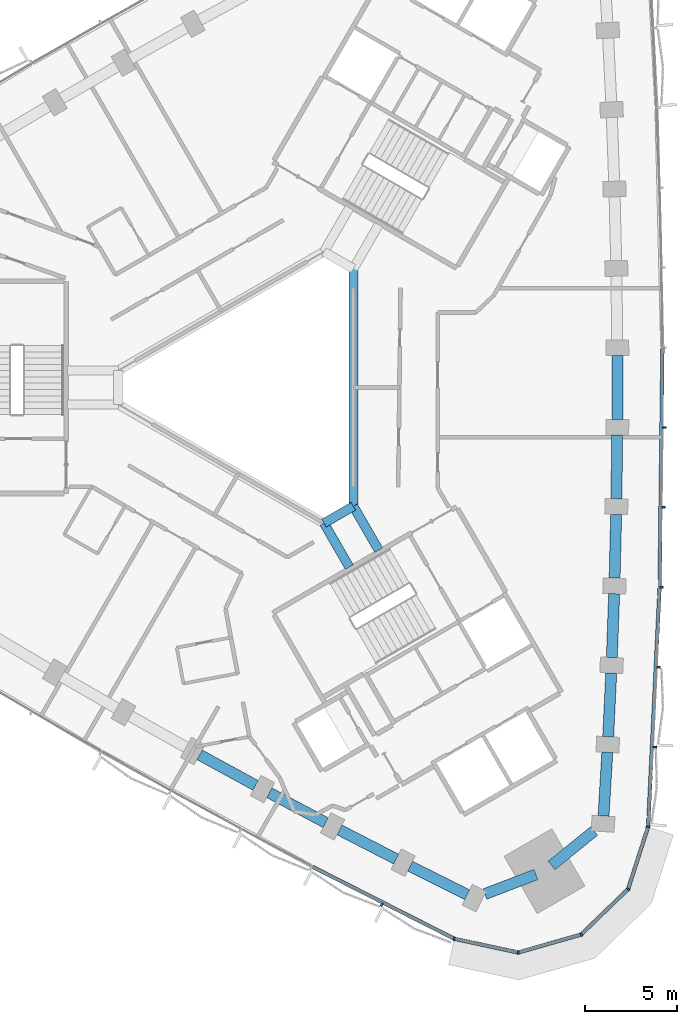
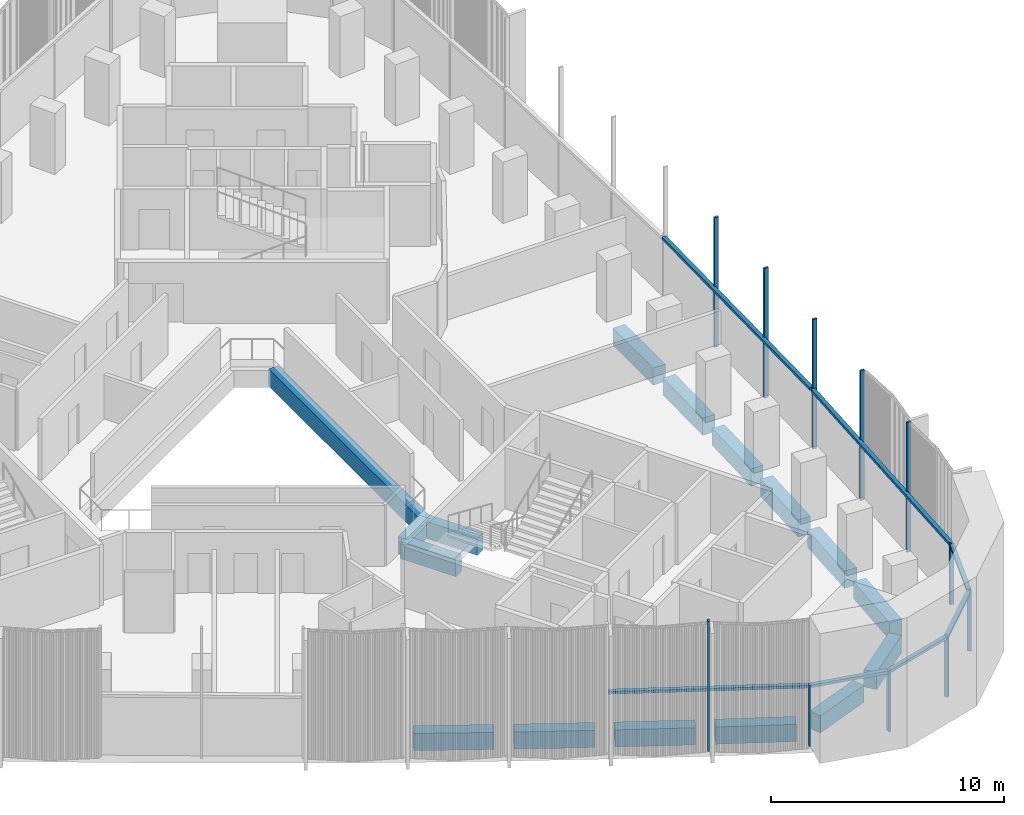
# One storey, part 3 of 14: 18 members, 16 beams, 2 elements without a shape of their own.
"""IFC4 building model written with IfcOpenShell, lengths in metres."""

from ifc_helpers import new_model, si_unit, direction, frame, origin, origin_2d, place, context, subcontext, project, spatial, rectangle, extrude, material, material_profile, profile_set, type_object, element, aggregate, save


model = new_model("IFC4")

# Units and contexts
model_context = context("Model", 3, precision=1e-05, world=origin(), true_north=direction((0.0, 1.0)))
body_context = subcontext(model_context, "Body", "Model", "MODEL_VIEW")
ifc_project = project(units=[si_unit("LENGTHUNIT", "METRE"), si_unit("AREAUNIT", "SQUARE_METRE"), si_unit("VOLUMEUNIT", "CUBIC_METRE"), si_unit("PLANEANGLEUNIT", "RADIAN"), si_unit("MASSUNIT", "GRAM", prefix="KILO")], contexts=[model_context])

# Site, building, storey
site_placement = place(None, origin())
site = spatial("IfcSite", under=ifc_project, at=site_placement, CompositionType="ELEMENT")
building_placement = place(site_placement, origin())
building = spatial("IfcBuilding", under=site, at=building_placement, Name="Tamra Quay Hotel Tower", CompositionType="ELEMENT")
storey_placement = place(building_placement, frame((0.0, 0.0, 139.60009765625)))
storey = spatial("IfcBuildingStorey", under=building, at=storey_placement, Name="L34", CompositionType="ELEMENT", Elevation=139.60009765625)

# Beams
ifc_material_1 = material(Name="Concrete M60", Category="concrete")
ifc_material_profile_1 = material_profile(ifc_material_1, rectangle(XDim=0.5, YDim=0.89990234375, at=origin_2d()), Name="ATRIUM EDGE BEAM RC 500x900")
ifc_profile_set_1 = profile_set([ifc_material_profile_1], Name="Concrete M60")
beam_type_1 = type_object("IfcBeamType", Name="ATRIUM EDGE BEAM RC 500x900", PredefinedType="BEAM", material=ifc_profile_set_1)
beam_1_placement = place(storey_placement, frame((4.800048828125, 6.46630859375, -0.85009765625), z_axis=(0.0, -1.0, 0.0), x_axis=(1.0, 0.0, 0.0)))
element("IfcBeam", 1, at=beam_1_placement, inside=storey, type_object=beam_type_1, Name="BM-AB0-L34", PredefinedType="BEAM", context=body_context, shape_type="SweptSolid", body=[
    extrude(rectangle(XDim=0.5, YDim=0.89990234375, at=origin_2d()), origin(), (0.0, 0.0, 1.0), 12.9326171875),
])
beam_2_placement = place(storey_placement, frame((4.800048828125, -6.46630859375, -0.85009765625), z_axis=(-0.86602275259, -0.500004591975, 0.0), x_axis=(0.500004591975, -0.86602275259, 0.0)))
element("IfcBeam", 2, at=beam_2_placement, inside=storey, type_object=beam_type_1, Name="BM-AB1-L34", PredefinedType="BEAM", context=body_context, shape_type="SweptSolid", body=[
    extrude(rectangle(XDim=0.5, YDim=0.89990234375, at=origin_2d()), origin(), (0.0, 0.0, 1.0), 1.84765625),
])
ifc_material_profile_2 = material_profile(ifc_material_1, rectangle(XDim=0.5, YDim=0.89990234375, at=origin_2d()), Name="ATRIUM TIE BEAM RC 500x900")
ifc_profile_set_2 = profile_set([ifc_material_profile_2], Name="Concrete M60")
beam_type_2 = type_object("IfcBeamType", Name="ATRIUM TIE BEAM RC 500x900", PredefinedType="BEAM", material=ifc_profile_set_2)
for number, where, z_axis, x_axis, name in (
    (3, (4.800048828125, -6.46630859375, -0.85009765625), (0.500008091576, -0.86602073206, 0.0), (0.86602073206, 0.500008091576, 0.0), "BM-TIE-1-L34"),
    (4, (3.199951171875, -7.39013671875, -0.85009765625), (0.500008091576, -0.86602073206, 0.0), (0.86602073206, 0.500008091576, 0.0), "BM-TIE-2-L34"),
):
    element("IfcBeam", number, at=place(storey_placement, frame(where, z_axis=z_axis, x_axis=x_axis)), inside=storey, type_object=beam_type_2, Name=name, PredefinedType="BEAM", context=body_context, shape_type="SweptSolid", body=[
        extrude(rectangle(XDim=0.5, YDim=0.89990234375, at=origin_2d()), origin(), (0.0, 0.0, 1.0), 2.76220703125),
    ])

# Curtain wall, members
ifc_material_2 = material(Name="Aluminium 6063 anodised dark grey", Category="aluminium")
curtain_wall_type_1 = type_object("IfcCurtainWallType", Name="CW1 CURTAIN WALL", PredefinedType="NOTDEFINED", material=ifc_material_2)
curtain_wall_1_placement = place(storey_placement, origin())
curtain_wall_1 = element("IfcCurtainWall", 5, at=curtain_wall_1_placement, inside=storey, type_object=curtain_wall_type_1, Name="CW1 east face L34", PredefinedType="NOTDEFINED")
ifc_material_profile_3 = material_profile(ifc_material_2, rectangle(XDim=0.199951171875, YDim=0.10009765625, at=origin_2d()), Name="MULLION 100X200")
ifc_profile_set_3 = profile_set([ifc_material_profile_3], Name="Aluminium 6063 anodised dark grey")
member_type_1 = type_object("IfcMemberType", Name="MULLION CW1 Z3", PredefinedType="MULLION", material=ifc_profile_set_3)
member_1_placement = place(storey_placement, frame((20.852294921875, -23.918212890625, 0.0), z_axis=(0.0, 0.0, 1.0), x_axis=(0.982883217826, -0.184229693905, 0.0)))
member_1 = element("IfcMember", 6, at=member_1_placement, type_object=member_type_1, Name="CW1 mullion L34.E.1", PredefinedType="MULLION", context=body_context, shape_type="SweptSolid", body=[
    extrude(rectangle(XDim=0.199951171875, YDim=0.10009765625, at=origin_2d()), origin(), (0.0, 0.0, 1.0), 3.199951171875),
])
member_2_placement = place(storey_placement, frame((21.211669921875, -19.57958984375, 0.0), z_axis=(0.0, 0.0, 1.0), x_axis=(0.99855735675, -0.053695486602, 0.0)))
member_2 = element("IfcMember", 7, at=member_2_placement, type_object=member_type_1, Name="CW1 mullion L34.E.2", PredefinedType="MULLION", context=body_context, shape_type="SweptSolid", body=[
    extrude(rectangle(XDim=0.199951171875, YDim=0.10009765625, at=origin_2d()), origin(), (0.0, 0.0, 1.0), 6.7998046875),
])
member_3_placement = place(storey_placement, frame((21.41943359375, -15.232421875, 0.0), z_axis=(0.0, 0.0, 1.0), x_axis=(0.99912611643, -0.041797170557, 0.0)))
member_3 = element("IfcMember", 8, at=member_3_placement, type_object=member_type_1, Name="CW1 mullion L34.E.3", PredefinedType="MULLION", context=body_context, shape_type="SweptSolid", body=[
    extrude(rectangle(XDim=0.199951171875, YDim=0.10009765625, at=origin_2d()), origin(), (0.0, 0.0, 1.0), 6.7998046875),
])
member_4_placement = place(storey_placement, frame((21.575439453125, -10.88134765625, 0.0), z_axis=(0.0, 0.0, 1.0), x_axis=(0.999553757047, -0.029871169599, 0.0)))
member_4 = element("IfcMember", 9, at=member_4_placement, type_object=member_type_1, Name="CW1 mullion L34.E.4", PredefinedType="MULLION", context=body_context, shape_type="SweptSolid", body=[
    extrude(rectangle(XDim=0.199951171875, YDim=0.10009765625, at=origin_2d()), origin(), (0.0, 0.0, 1.0), 6.7998046875),
])
member_5_placement = place(storey_placement, frame((21.679443359375, -6.52880859375, 0.0), z_axis=(0.0, 0.0, 1.0), x_axis=(0.999839304234, -0.017926675875, 0.0)))
member_5 = element("IfcMember", 10, at=member_5_placement, type_object=member_type_1, Name="CW1 mullion L34.E.5", PredefinedType="MULLION", context=body_context, shape_type="SweptSolid", body=[
    extrude(rectangle(XDim=0.199951171875, YDim=0.10009765625, at=origin_2d()), origin(), (0.0, 0.0, 1.0), 6.7998046875),
])
member_6_placement = place(storey_placement, frame((21.7314453125, -2.177001953125, 0.0), z_axis=(0.0, 0.0, 1.0), x_axis=(0.999982128389, -0.005978536749, 0.0)))
member_6 = element("IfcMember", 11, at=member_6_placement, type_object=member_type_1, Name="CW1 mullion L34.E.6", PredefinedType="MULLION", context=body_context, shape_type="SweptSolid", body=[
    extrude(rectangle(XDim=0.199951171875, YDim=0.10009765625, at=origin_2d()), origin(), (0.0, 0.0, 1.0), 6.7998046875),
])

curtain_wall_type_2 = type_object("IfcCurtainWallType", Name="CW3 CURTAIN WALL", PredefinedType="NOTDEFINED", material=ifc_material_2)
curtain_wall_2_placement = place(storey_placement, origin())
curtain_wall_2 = element("IfcCurtainWall", 12, at=curtain_wall_2_placement, inside=storey, type_object=curtain_wall_type_2, Name="CW3 south-west face L34", PredefinedType="NOTDEFINED")
ifc_material_profile_4 = material_profile(ifc_material_2, rectangle(XDim=0.199951171875, YDim=0.10009765625, at=origin_2d()), Name="MULLION 100X200")
ifc_profile_set_4 = profile_set([ifc_material_profile_4], Name="Aluminium 6063 anodised dark grey")
member_type_2 = type_object("IfcMemberType", Name="MULLION CW3 Z3", PredefinedType="MULLION", material=ifc_profile_set_4)
member_7_placement = place(storey_placement, frame((6.3505859375, -28.15966796875, 0.0), z_axis=(0.0, 0.0, 1.0), x_axis=(-0.452777022909, -0.891623781382, 0.0)))
member_7 = element("IfcMember", 13, at=member_7_placement, type_object=member_type_2, Name="CW3 mullion L34.SW.11", PredefinedType="MULLION", context=body_context, shape_type="SweptSolid", body=[
    extrude(rectangle(XDim=0.199951171875, YDim=0.10009765625, at=origin_2d()), origin(), (0.0, 0.0, 1.0), 6.7998046875),
])
member_8_placement = place(storey_placement, frame((10.28759765625, -30.017578125, 0.0), z_axis=(0.0, 0.0, 1.0), x_axis=(-0.33189401386, -0.943316682543, 0.0)))
member_8 = element("IfcMember", 14, at=member_8_placement, type_object=member_type_2, Name="CW3 mullion L34.SW.12", PredefinedType="MULLION", context=body_context, shape_type="SweptSolid", body=[
    extrude(rectangle(XDim=0.199951171875, YDim=0.10009765625, at=origin_2d()), origin(), (0.0, 0.0, 1.0), 3.199951171875),
])
member_9_placement = place(storey_placement, frame((13.772216796875, -30.770263671875, 0.0), z_axis=(0.0, 0.0, 1.0), x_axis=(0.032727311619, -0.99946431806, 0.0)))
member_9 = element("IfcMember", 15, at=member_9_placement, type_object=member_type_2, Name="CW3 mullion L34.SW.13", PredefinedType="MULLION", context=body_context, shape_type="SweptSolid", body=[
    extrude(rectangle(XDim=0.199951171875, YDim=0.10009765625, at=origin_2d()), origin(), (0.0, 0.0, 1.0), 3.199951171875),
])
member_10_placement = place(storey_placement, frame((17.199951171875, -29.791259765625, 0.0), z_axis=(0.0, 0.0, 1.0), x_axis=(0.5, -0.866025403784, 0.0)))
member_10 = element("IfcMember", 16, at=member_10_placement, type_object=member_type_2, Name="CW3 mullion L34.SW.14", PredefinedType="MULLION", context=body_context, shape_type="SweptSolid", body=[
    extrude(rectangle(XDim=0.199951171875, YDim=0.10009765625, at=origin_2d()), origin(), (0.0, 0.0, 1.0), 3.199951171875),
])
member_11_placement = place(storey_placement, frame((19.76171875, -27.312255859375, 0.0), z_axis=(0.0, 0.0, 1.0), x_axis=(0.849197833806, -0.52807484229, 0.0)))
member_11 = element("IfcMember", 17, at=member_11_placement, type_object=member_type_2, Name="CW3 mullion L34.SW.15", PredefinedType="MULLION", context=body_context, shape_type="SweptSolid", body=[
    extrude(rectangle(XDim=0.199951171875, YDim=0.10009765625, at=origin_2d()), origin(), (0.0, 0.0, 1.0), 3.199951171875),
])

# Beams
ifc_material_profile_5 = material_profile(ifc_material_1, rectangle(XDim=0.60009765625, YDim=0.89990234375, at=origin_2d()), Name="SPANDREL BEAM RC 600x900")
ifc_profile_set_5 = profile_set([ifc_material_profile_5], Name="Concrete M60")
beam_type_3 = type_object("IfcBeamType", Name="SPANDREL BEAM RC 600x900", PredefinedType="SPANDREL", material=ifc_profile_set_5)
beam_3_placement = place(storey_placement, frame((18.422119140625, -23.3330078125, -0.85009765625), z_axis=(0.059620475238, 0.998221117254, 0.0), x_axis=(-0.998221117254, 0.059620475238, 0.0)))
element("IfcBeam", 18, at=beam_3_placement, inside=storey, type_object=beam_type_3, Name="BM-SP3-000-L34", PredefinedType="SPANDREL", context=body_context, shape_type="SweptSolid", body=[
    extrude(rectangle(XDim=0.60009765625, YDim=0.89990234375, at=origin_2d()), origin(), (0.0, 0.0, 1.0), 3.472412109375),
])
beam_4_placement = place(storey_placement, frame((18.6748046875, -19.017822265625, -0.85009765625), z_axis=(0.047732145575, 0.998860171535, 0.0), x_axis=(-0.998860171535, 0.047732145575, 0.0)))
element("IfcBeam", 19, at=beam_4_placement, inside=storey, type_object=beam_type_3, Name="BM-SP3-001-L34", PredefinedType="SPANDREL", context=body_context, shape_type="SweptSolid", body=[
    extrude(rectangle(XDim=0.60009765625, YDim=0.89990234375, at=origin_2d()), origin(), (0.0, 0.0, 1.0), 3.472900390625),
])
beam_5_placement = place(storey_placement, frame((18.876220703125, -14.69970703125, -0.85009765625), z_axis=(0.035786826945, 0.999359446354, 0.0), x_axis=(-0.999359446354, 0.035786826945, 0.0)))
element("IfcBeam", 20, at=beam_5_placement, inside=storey, type_object=beam_type_3, Name="BM-SP3-002-L34", PredefinedType="SPANDREL", context=body_context, shape_type="SweptSolid", body=[
    extrude(rectangle(XDim=0.60009765625, YDim=0.89990234375, at=origin_2d()), origin(), (0.0, 0.0, 1.0), 3.472412109375),
])
beam_6_placement = place(storey_placement, frame((19.02587890625, -10.3798828125, -0.85009765625), z_axis=(0.023906514803, 0.999714198434, 0.0), x_axis=(-0.999714198434, 0.023906514803, 0.0)))
element("IfcBeam", 21, at=beam_6_placement, inside=storey, type_object=beam_type_3, Name="BM-SP3-003-L34", PredefinedType="SPANDREL", context=body_context, shape_type="SweptSolid", body=[
    extrude(rectangle(XDim=0.60009765625, YDim=0.89990234375, at=origin_2d()), origin(), (0.0, 0.0, 1.0), 3.47216796875),
])
beam_7_placement = place(storey_placement, frame((19.124267578125, -6.05859375, -0.85009765625), z_axis=(0.011951617666, 0.999928576867, 0.0), x_axis=(-0.999928576867, 0.011951617666, 0.0)))
element("IfcBeam", 22, at=beam_7_placement, inside=storey, type_object=beam_type_3, Name="BM-SP3-004-L34", PredefinedType="SPANDREL", context=body_context, shape_type="SweptSolid", body=[
    extrude(rectangle(XDim=0.60009765625, YDim=0.89990234375, at=origin_2d()), origin(), (0.0, 0.0, 1.0), 3.47265625),
])
beam_8_placement = place(storey_placement, frame((19.1708984375, -1.736083984375, -0.85009765625), z_axis=(0.0, 1.0, 0.0), x_axis=(-1.0, 0.0, 0.0)))
element("IfcBeam", 23, at=beam_8_placement, inside=storey, type_object=beam_type_3, Name="BM-SP3-005-L34", PredefinedType="SPANDREL", context=body_context, shape_type="SweptSolid", body=[
    extrude(rectangle(XDim=0.60009765625, YDim=0.89990234375, at=origin_2d()), origin(), (0.0, 0.0, 1.0), 3.47216796875),
])
for number, where, z_axis, x_axis, name in (
    (24, (-3.571533203125, -20.003173828125, -0.85009765625), (0.877731617539, -0.479152593202, 0.0), (0.479152593202, 0.877731617539, 0.0), "BM-SP3-033-L34"),
    (25, (0.224609375, -22.06982421875, -0.85009765625), (0.883411391477, -0.468598243071, 0.0), (0.468598243071, 0.883411391477, 0.0), "BM-SP3-034-L34"),
):
    element("IfcBeam", number, at=place(storey_placement, frame(where, z_axis=z_axis, x_axis=x_axis)), inside=storey, type_object=beam_type_3, Name=name, PredefinedType="SPANDREL", context=body_context, shape_type="SweptSolid", body=[
        extrude(rectangle(XDim=0.60009765625, YDim=0.89990234375, at=origin_2d()), origin(), (0.0, 0.0, 1.0), 3.472412109375),
    ])
beam_9_placement = place(storey_placement, frame((4.04541015625, -24.0908203125, -0.85009765625), z_axis=(0.888919913451, -0.458062645792, 0.0), x_axis=(0.458062645792, 0.888919913451, 0.0)))
element("IfcBeam", 26, at=beam_9_placement, inside=storey, type_object=beam_type_3, Name="BM-SP3-035-L34", PredefinedType="SPANDREL", context=body_context, shape_type="SweptSolid", body=[
    extrude(rectangle(XDim=0.60009765625, YDim=0.89990234375, at=origin_2d()), origin(), (0.0, 0.0, 1.0), 3.472900390625),
])
beam_10_placement = place(storey_placement, frame((7.890380859375, -26.066650390625, -0.85009765625), z_axis=(0.894314670292, -0.447438566174, 0.0), x_axis=(0.447438566174, 0.894314670292, 0.0)))
element("IfcBeam", 27, at=beam_10_placement, inside=storey, type_object=beam_type_3, Name="BM-SP3-036-L34", PredefinedType="SPANDREL", context=body_context, shape_type="SweptSolid", body=[
    extrude(rectangle(XDim=0.60009765625, YDim=0.89990234375, at=origin_2d()), origin(), (0.0, 0.0, 1.0), 3.472412109375),
])
beam_11_placement = place(storey_placement, frame((11.960693359375, -27.586181640625, -0.85009765625), z_axis=(0.933527198951, 0.358506581278, 0.0), x_axis=(-0.358506581278, 0.933527198951, 0.0)))
element("IfcBeam", 28, at=beam_11_placement, inside=storey, type_object=beam_type_3, Name="BM-SP3-037-L34", PredefinedType="SPANDREL", context=body_context, shape_type="SweptSolid", body=[
    extrude(rectangle(XDim=0.60009765625, YDim=0.89990234375, at=origin_2d()), origin(), (0.0, 0.0, 1.0), 2.97802734375),
])
beam_12_placement = place(storey_placement, frame((15.595703125, -26.02490234375, -0.85009765625), z_axis=(0.777183767602, 0.629273701482, 0.0), x_axis=(-0.629273701482, 0.777183767602, 0.0)))
element("IfcBeam", 29, at=beam_12_placement, inside=storey, type_object=beam_type_3, Name="BM-SP3-038-L34", PredefinedType="SPANDREL", context=body_context, shape_type="SweptSolid", body=[
    extrude(rectangle(XDim=0.60009765625, YDim=0.89990234375, at=origin_2d()), origin(), (0.0, 0.0, 1.0), 2.977783203125),
])

# Member
ifc_material_profile_6 = material_profile(ifc_material_2, rectangle(XDim=0.199951171875, YDim=0.139892578125, at=origin_2d()), Name="TRANSOM 200X140")
ifc_profile_set_6 = profile_set([ifc_material_profile_6], Name="Aluminium 6063 anodised dark grey")
member_type_3 = type_object("IfcMemberType", Name="TRANSOM CW1 Z3", PredefinedType="USERDEFINED", material=ifc_profile_set_6)
member_12_placement = place(storey_placement, frame((20.855224609375, -23.868408203125, 3.1298828125), z_axis=(0.047736167082, 0.998859979353, 0.0), x_axis=(-0.998859979353, 0.047736167082, 0.0)))
member_12 = element("IfcMember", 30, at=member_12_placement, type_object=member_type_3, Name="CW1 transom L34.E.1", ObjectType="TRANSOM", PredefinedType="USERDEFINED", context=body_context, shape_type="SweptSolid", body=[
    extrude(rectangle(XDim=0.199951171875, YDim=0.139892578125, at=origin_2d()), origin(), (0.0, 0.0, 1.0), 12.95458984375),
])

member_13_placement = place(storey_placement, frame((21.476806640625, -10.828369140625, 3.1298828125), z_axis=(0.011947434123, 0.999928626862, 0.0), x_axis=(-0.999928626862, 0.011947434123, 0.0)))
member_13 = element("IfcMember", 31, at=member_13_placement, type_object=member_type_3, Name="CW1 transom L34.E.4", ObjectType="TRANSOM", PredefinedType="USERDEFINED", context=body_context, shape_type="SweptSolid", body=[
    extrude(rectangle(XDim=0.199951171875, YDim=0.139892578125, at=origin_2d()), origin(), (0.0, 0.0, 1.0), 12.95556640625),
])

aggregate(curtain_wall_1, [member_1, member_12, member_2, member_3, member_4, member_13, member_5, member_6])

ifc_material_profile_7 = material_profile(ifc_material_2, rectangle(XDim=0.199951171875, YDim=0.139892578125, at=origin_2d()), Name="TRANSOM 200X140")
ifc_profile_set_7 = profile_set([ifc_material_profile_7], Name="Aluminium 6063 anodised dark grey")
member_type_4 = type_object("IfcMemberType", Name="TRANSOM CW3 Z3", PredefinedType="USERDEFINED", material=ifc_profile_set_7)
member_14_placement = place(storey_placement, frame((2.57275390625, -26.10009765625, 3.1298828125), z_axis=(0.891611423386, -0.452801357868, 0.0), x_axis=(0.452801357868, 0.891611423386, 0.0)))
member_14 = element("IfcMember", 32, at=member_14_placement, type_object=member_type_4, Name="CW3 transom L34.SW.10", ObjectType="TRANSOM", PredefinedType="USERDEFINED", context=body_context, shape_type="SweptSolid", body=[
    extrude(rectangle(XDim=0.199951171875, YDim=0.139892578125, at=origin_2d()), origin(), (0.0, 0.0, 1.0), 8.6025390625),
])

member_15_placement = place(storey_placement, frame((10.33642578125, -30.028076171875, 3.1298828125), z_axis=(0.977466057655, -0.211092648218, 0.0), x_axis=(0.211092648218, 0.977466057655, 0.0)))
member_15 = element("IfcMember", 33, at=member_15_placement, type_object=member_type_4, Name="CW3 transom L34.SW.12", ObjectType="TRANSOM", PredefinedType="USERDEFINED", context=body_context, shape_type="SweptSolid", body=[
    extrude(rectangle(XDim=0.199951171875, YDim=0.139892578125, at=origin_2d()), origin(), (0.0, 0.0, 1.0), 3.465087890625),
])

member_16_placement = place(storey_placement, frame((13.8203125, -30.75634765625, 3.1298828125), z_axis=(0.961558507518, 0.274600139513, 0.0), x_axis=(-0.274600139513, 0.961558507518, 0.0)))
member_16 = element("IfcMember", 34, at=member_16_placement, type_object=member_type_4, Name="CW3 transom L34.SW.13", ObjectType="TRANSOM", PredefinedType="USERDEFINED", context=body_context, shape_type="SweptSolid", body=[
    extrude(rectangle(XDim=0.199951171875, YDim=0.139892578125, at=origin_2d()), origin(), (0.0, 0.0, 1.0), 3.46484375),
])

member_17_placement = place(storey_placement, frame((17.23583984375, -29.756591796875, 3.1298828125), z_axis=(0.718602141767, 0.695421427516, 0.0), x_axis=(-0.695421427516, 0.718602141767, 0.0)))
member_17 = element("IfcMember", 35, at=member_17_placement, type_object=member_type_4, Name="CW3 transom L34.SW.14", ObjectType="TRANSOM", PredefinedType="USERDEFINED", context=body_context, shape_type="SweptSolid", body=[
    extrude(rectangle(XDim=0.199951171875, YDim=0.139892578125, at=origin_2d()), origin(), (0.0, 0.0, 1.0), 3.465087890625),
])

member_18_placement = place(storey_placement, frame((19.77685546875, -27.2646484375, 3.1298828125), z_axis=(0.305936194626, 0.952052017916, 0.0), x_axis=(-0.952052017916, 0.305936194626, 0.0)))
member_18 = element("IfcMember", 36, at=member_18_placement, type_object=member_type_4, Name="CW3 transom L34.SW.15", ObjectType="TRANSOM", PredefinedType="USERDEFINED", context=body_context, shape_type="SweptSolid", body=[
    extrude(rectangle(XDim=0.199951171875, YDim=0.139892578125, at=origin_2d()), origin(), (0.0, 0.0, 1.0), 3.465087890625),
])

aggregate(curtain_wall_2, [member_14, member_7, member_8, member_15, member_9, member_16, member_10, member_17, member_11, member_18])

save(model, "model.ifc")
